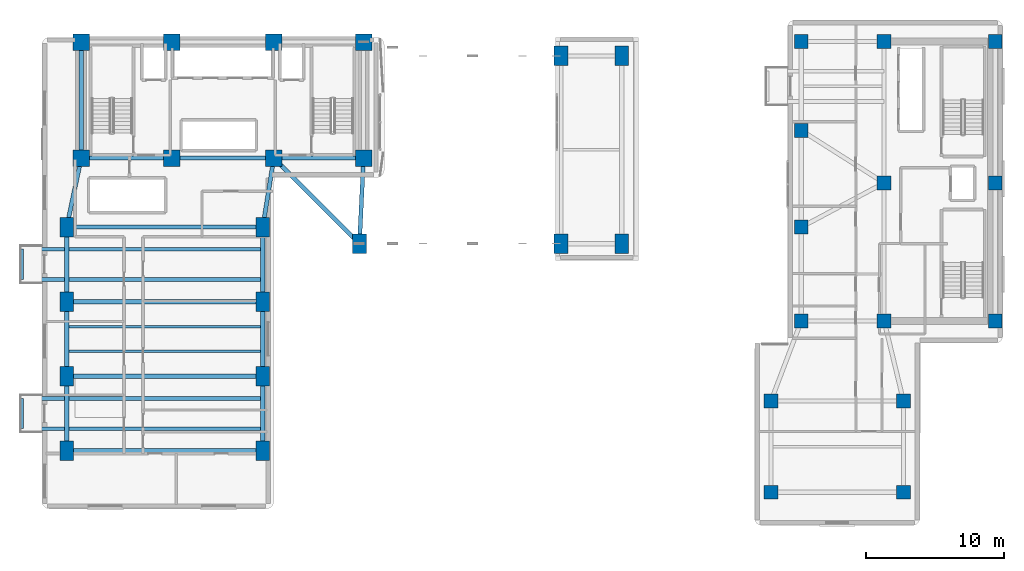
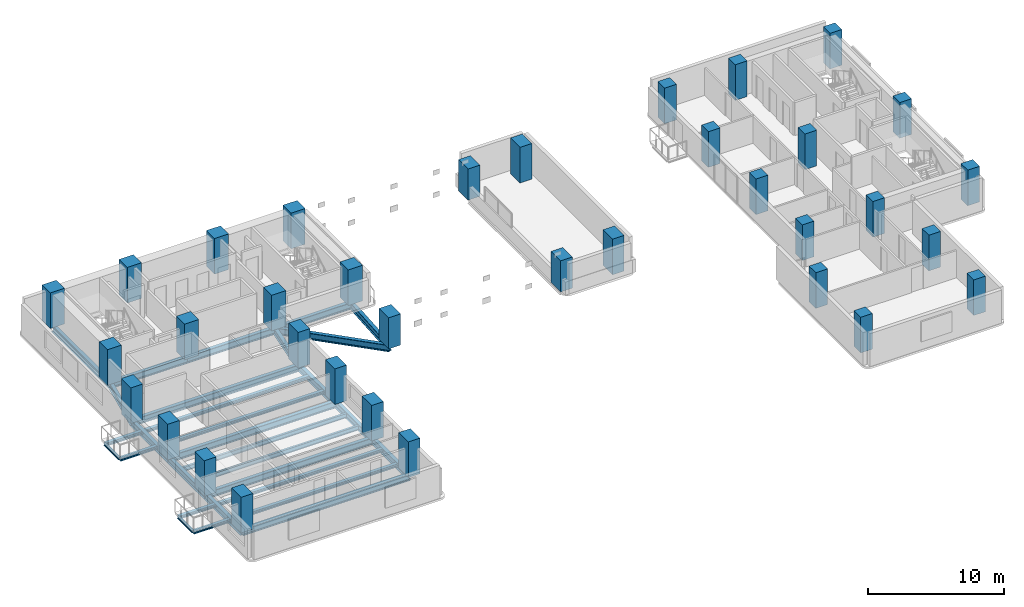
# One storey, part 1 of 14: 35 columns, 26 beams.
"""IFC4 building model written with IfcOpenShell, lengths in metres."""

from ifc_helpers import new_model, si_unit, direction, frame, origin, origin_2d, place, context, subcontext, project, spatial, rectangle, i_section, extrude, material, material_profile, profile_set, type_object, element, save


model = new_model("IFC4")

# Units and contexts
model_context = context("Model", 3, precision=1e-05, world=origin(), true_north=direction((0.0, 1.0)))
body_context = subcontext(model_context, "Body", "Model", "MODEL_VIEW")
ifc_project = project(units=[si_unit("LENGTHUNIT", "METRE"), si_unit("AREAUNIT", "SQUARE_METRE"), si_unit("VOLUMEUNIT", "CUBIC_METRE"), si_unit("PLANEANGLEUNIT", "RADIAN"), si_unit("MASSUNIT", "GRAM", prefix="KILO")], contexts=[model_context])

# Site, building, storey
site_placement = place(None, origin())
site = spatial("IfcSite", under=ifc_project, at=site_placement, CompositionType="ELEMENT")
building_placement = place(site_placement, origin())
building = spatial("IfcBuilding", under=site, at=building_placement, Name="Kuzgunbayir Cultural Tower", CompositionType="ELEMENT")
storey_placement = place(building_placement, frame((0.0, 0.0, 36.60009765625)))
storey = spatial("IfcBuildingStorey", under=building, at=storey_placement, Name="L09", CompositionType="ELEMENT", Elevation=36.60009765625)

# Columns
ifc_material_1 = material(Name="Concrete C60/75", Category="concrete")
ifc_material_profile_1 = material_profile(ifc_material_1, rectangle(XDim=1.199951171875, YDim=1.199951171875, at=origin_2d()), Name="RC 1200x1200")
ifc_profile_set_1 = profile_set([ifc_material_profile_1], Name="Concrete C60/75")
column_type_1 = type_object("IfcColumnType", Name="COL-CORE-1200", PredefinedType="COLUMN", material=ifc_profile_set_1)
for number, where, z_axis, x_axis, name in (
    (1, (6.449951171875, 33.800048828125, 0.0), (0.0, 0.0, 1.0), (1.0, 0.0, 0.0), "L09 T1 Core Boundary Column CC1-1"),
    (2, (13.0, 33.800048828125, 0.0), (0.0, 0.0, 1.0), (1.0, 0.0, 0.0), "L09 T1 Core Boundary Column CC1-2"),
    (3, (20.39990234375, 33.800048828125, 0.0), (0.0, 0.0, 1.0), (1.0, 0.0, 0.0), "L09 T1 Core Boundary Column CC1-3"),
    (4, (26.89990234375, 33.800048828125, 0.0), (0.0, 0.0, 1.0), (1.0, 0.0, 0.0), "L09 T1 Core Boundary Column CC1-4"),
    (5, (6.449951171875, 42.199951171875, 0.0), (0.0, 0.0, 1.0), (1.0, 0.0, 0.0), "L09 T1 Core Boundary Column CC1-5"),
    (6, (13.0, 42.199951171875, 0.0), (0.0, 0.0, 1.0), (1.0, 0.0, 0.0), "L09 T1 Core Boundary Column CC1-6"),
    (7, (20.39990234375, 42.199951171875, 0.0), (0.0, 0.0, 1.0), (1.0, 0.0, 0.0), "L09 T1 Core Boundary Column CC1-7"),
    (8, (26.89990234375, 42.199951171875, 0.0), (0.0, 0.0, 1.0), (1.0, 0.0, 0.0), "L09 T1 Core Boundary Column CC1-8"),
):
    element("IfcColumn", number, at=place(storey_placement, frame(where, z_axis=z_axis, x_axis=x_axis)), inside=storey, type_object=column_type_1, Name=name, PredefinedType="COLUMN", context=body_context, shape_type="SweptSolid", body=[
        extrude(rectangle(XDim=1.199951171875, YDim=1.199951171875, at=origin_2d()), origin(), (0.0, 0.0, 1.0), 3.199951171875),
    ])
ifc_material_profile_2 = material_profile(ifc_material_1, rectangle(XDim=1.0, YDim=1.39990234375, at=origin_2d()), Name="RC 1400x1000")
ifc_profile_set_2 = profile_set([ifc_material_profile_2], Name="Concrete C60/75")
column_type_2 = type_object("IfcColumnType", Name="COL-T1-1400x1000", PredefinedType="COLUMN", material=ifc_profile_set_2)
for number, where, z_axis, x_axis, name in (
    (9, (5.39990234375, 12.60009765625, 0.0), (0.0, 0.0, 1.0), (1.0, 0.0, 0.0), "L09 Tower 1 Wing A Column T1A-W-1"),
    (10, (19.60009765625, 12.60009765625, 0.0), (0.0, 0.0, 1.0), (1.0, 0.0, 0.0), "L09 Tower 1 Wing A Column T1A-E-1"),
    (11, (5.39990234375, 18.0, 0.0), (0.0, 0.0, 1.0), (1.0, 0.0, 0.0), "L09 Tower 1 Wing A Column T1A-W-2"),
    (12, (19.60009765625, 18.0, 0.0), (0.0, 0.0, 1.0), (1.0, 0.0, 0.0), "L09 Tower 1 Wing A Column T1A-E-2"),
    (13, (5.39990234375, 23.39990234375, 0.0), (0.0, 0.0, 1.0), (1.0, 0.0, 0.0), "L09 Tower 1 Wing A Column T1A-W-3"),
    (14, (19.60009765625, 23.39990234375, 0.0), (0.0, 0.0, 1.0), (1.0, 0.0, 0.0), "L09 Tower 1 Wing A Column T1A-E-3"),
    (15, (5.39990234375, 28.800048828125, 0.0), (0.0, 0.0, 1.0), (1.0, 0.0, 0.0), "L09 Tower 1 Wing A Column T1A-W-4"),
    (16, (19.60009765625, 28.800048828125, 0.0), (0.0, 0.0, 1.0), (1.0, 0.0, 0.0), "L09 Tower 1 Wing A Column T1A-E-4"),
):
    element("IfcColumn", number, at=place(storey_placement, frame(where, z_axis=z_axis, x_axis=x_axis)), inside=storey, type_object=column_type_2, Name=name, PredefinedType="COLUMN", context=body_context, shape_type="SweptSolid", body=[
        extrude(rectangle(XDim=1.0, YDim=1.39990234375, at=origin_2d()), origin(), (0.0, 0.0, 1.0), 3.199951171875),
    ])
for number, where, z_axis, x_axis, name in (
    (17, (26.60009765625, 27.60009765625, 0.0), (0.0, 0.0, 1.0), (1.0, 0.0, 0.0), "L09 Tower 1 Wing B Column T1B-1-1"),
    (18, (41.199951171875, 27.60009765625, 0.0), (0.0, 0.0, 1.0), (1.0, 0.0, 0.0), "L09 Tower 1 Wing B Column T1B-4-1"),
    (19, (41.199951171875, 41.199951171875, 0.0), (0.0, 0.0, 1.0), (1.0, 0.0, 0.0), "L09 Tower 1 Wing B Column T1B-4-2"),
):
    element("IfcColumn", number, at=place(storey_placement, frame(where, z_axis=z_axis, x_axis=x_axis)), inside=storey, type_object=column_type_2, Name=name, PredefinedType="COLUMN", context=body_context, shape_type="SweptSolid", body=[
        extrude(rectangle(XDim=1.0, YDim=1.39990234375, at=origin_2d()), origin(), (0.0, 0.0, 1.0), 2.7998046875),
    ])
for number, where, z_axis, x_axis, name in (
    (20, (45.60009765625, 27.60009765625, 0.0), (0.0, 0.0, 1.0), (1.0, 0.0, 0.0), "L09 Tower 1 Wing B Column T1B-5-1"),
    (21, (45.60009765625, 41.199951171875, 0.0), (0.0, 0.0, 1.0), (1.0, 0.0, 0.0), "L09 Tower 1 Wing B Column T1B-5-2"),
):
    element("IfcColumn", number, at=place(storey_placement, frame(where, z_axis=z_axis, x_axis=x_axis)), inside=storey, type_object=column_type_2, Name=name, PredefinedType="COLUMN", context=body_context, shape_type="SweptSolid", body=[
        extrude(rectangle(XDim=1.0, YDim=1.39990234375, at=origin_2d()), origin(), (0.0, 0.0, 1.0), 3.199951171875),
    ])
ifc_material_profile_3 = material_profile(ifc_material_1, rectangle(XDim=1.0, YDim=1.0, at=origin_2d()), Name="RC 1000x1000")
ifc_profile_set_3 = profile_set([ifc_material_profile_3], Name="Concrete C60/75")
column_type_3 = type_object("IfcColumnType", Name="COL-T2-1000", PredefinedType="COLUMN", material=ifc_profile_set_3)
for number, where, z_axis, x_axis, name in (
    (22, (64.60009765625, 22.0, 0.0), (0.0, 0.0, 1.0), (1.0, 0.0, 0.0), "L09 T2 Core Boundary Column CC2-1"),
    (23, (72.64990234375, 22.0, 0.0), (0.0, 0.0, 1.0), (1.0, 0.0, 0.0), "L09 T2 Core Boundary Column CC2-2"),
    (24, (64.60009765625, 32.0, 0.0), (0.0, 0.0, 1.0), (1.0, 0.0, 0.0), "L09 T2 Core Boundary Column CC2-3"),
    (25, (72.64990234375, 32.0, 0.0), (0.0, 0.0, 1.0), (1.0, 0.0, 0.0), "L09 T2 Core Boundary Column CC2-4"),
    (26, (64.60009765625, 42.25, 0.0), (0.0, 0.0, 1.0), (1.0, 0.0, 0.0), "L09 T2 Core Boundary Column CC2-5"),
    (27, (72.64990234375, 42.25, 0.0), (0.0, 0.0, 1.0), (1.0, 0.0, 0.0), "L09 T2 Core Boundary Column CC2-6"),
):
    element("IfcColumn", number, at=place(storey_placement, frame(where, z_axis=z_axis, x_axis=x_axis)), inside=storey, type_object=column_type_3, Name=name, PredefinedType="COLUMN", context=body_context, shape_type="SweptSolid", body=[
        extrude(rectangle(XDim=1.0, YDim=1.0, at=origin_2d()), origin(), (0.0, 0.0, 1.0), 3.199951171875),
    ])
ifc_material_profile_4 = material_profile(ifc_material_1, rectangle(XDim=1.0, YDim=1.0, at=origin_2d()), Name="RC 1000x1000")
ifc_profile_set_4 = profile_set([ifc_material_profile_4], Name="Concrete C60/75")
column_type_4 = type_object("IfcColumnType", Name="COL-T2-1000-EXT", PredefinedType="COLUMN", material=ifc_profile_set_4)
for number, where, z_axis, x_axis, name in (
    (28, (58.60009765625, 22.0, 0.0), (0.0, 0.0, 1.0), (1.0, 0.0, 0.0), "L09 Companion Wing A Column T2A-W-1"),
    (29, (58.60009765625, 28.800048828125, 0.0), (0.0, 0.0, 1.0), (1.0, 0.0, 0.0), "L09 Companion Wing A Column T2A-W-2"),
    (30, (58.60009765625, 35.800048828125, 0.0), (0.0, 0.0, 1.0), (1.0, 0.0, 0.0), "L09 Companion Wing A Column T2A-W-3"),
    (31, (58.60009765625, 42.25, 0.0), (0.0, 0.0, 1.0), (1.0, 0.0, 0.0), "L09 Companion Wing A Column T2A-W-4"),
    (32, (56.39990234375, 9.60009765625, 0.0), (0.0, 0.0, 1.0), (1.0, 0.0, 0.0), "L09 Companion Wing B Column T2B-1-1"),
    (33, (56.39990234375, 16.199951171875, 0.0), (0.0, 0.0, 1.0), (1.0, 0.0, 0.0), "L09 Companion Wing B Column T2B-1-2"),
    (34, (66.0, 9.60009765625, 0.0), (0.0, 0.0, 1.0), (1.0, 0.0, 0.0), "L09 Companion Wing B Column T2B-2-1"),
    (35, (66.0, 16.199951171875, 0.0), (0.0, 0.0, 1.0), (1.0, 0.0, 0.0), "L09 Companion Wing B Column T2B-2-2"),
):
    element("IfcColumn", number, at=place(storey_placement, frame(where, z_axis=z_axis, x_axis=x_axis)), inside=storey, type_object=column_type_4, Name=name, PredefinedType="COLUMN", context=body_context, shape_type="SweptSolid", body=[
        extrude(rectangle(XDim=1.0, YDim=1.0, at=origin_2d()), origin(), (0.0, 0.0, 1.0), 3.199951171875),
    ])

# Beams
ifc_material_2 = material(Name="Steel S355J2", Category="steel")
ifc_material_profile_5 = material_profile(ifc_material_2, i_section(OverallWidth=0.280029296875, OverallDepth=0.280029296875, WebThickness=0.010498046875, FlangeThickness=0.01806640625, FilletRadius=0.02392578125, at=origin_2d()), Name="HEB 280")
ifc_profile_set_5 = profile_set([ifc_material_profile_5], Name="Steel S355J2")
beam_type_1 = type_object("IfcBeamType", Name="BM-BAL-HEB280", PredefinedType="BEAM", material=ifc_profile_set_5)
for number, where, z_axis, x_axis, name in (
    (36, (2.159912109375, 14.199951171875, -0.340087890625), (1.0, 0.0, 0.0), (0.0, 1.0, 0.0), "L09 Balcony Outrigger Beam BAL-L09-WA1.1"),
    (37, (2.159912109375, 16.39990234375, -0.340087890625), (1.0, 0.0, 0.0), (0.0, 1.0, 0.0), "L09 Balcony Outrigger Beam BAL-L09-WA1.2"),
    (38, (2.159912109375, 25.0, -0.340087890625), (1.0, 0.0, 0.0), (0.0, 1.0, 0.0), "L09 Balcony Outrigger Beam BAL-L09-WA3.1"),
    (39, (2.159912109375, 27.199951171875, -0.340087890625), (1.0, 0.0, 0.0), (0.0, 1.0, 0.0), "L09 Balcony Outrigger Beam BAL-L09-WA3.2"),
):
    element("IfcBeam", number, at=place(storey_placement, frame(where, z_axis=z_axis, x_axis=x_axis)), inside=storey, type_object=beam_type_1, Name=name, PredefinedType="BEAM", context=body_context, shape_type="SweptSolid", body=[
        extrude(i_section(OverallWidth=0.280029296875, OverallDepth=0.280029296875, WebThickness=0.010498046875, FlangeThickness=0.01806640625, FilletRadius=0.02392578125, at=origin_2d()), origin(), (0.0, 0.0, 1.0), 17.440185546875),
    ])
ifc_material_profile_6 = material_profile(ifc_material_2, i_section(OverallWidth=0.199951171875, OverallDepth=0.199951171875, WebThickness=0.009033203125, FlangeThickness=0.014892578125, FilletRadius=0.01806640625, at=origin_2d()), Name="HEB 200")
ifc_profile_set_6 = profile_set([ifc_material_profile_6], Name="Steel S355J2")
beam_type_2 = type_object("IfcBeamType", Name="BM-CAN-HEB200", PredefinedType="BEAM", material=ifc_profile_set_6)
for number, where, z_axis, x_axis, name in (
    (40, (2.159912109375, 14.199951171875, -0.300048828125), (0.0, 1.0, 0.0), (-1.0, 0.0, 0.0), "L09 Balcony Edge Header BAL-L09-WA1"),
    (41, (2.159912109375, 25.0, -0.300048828125), (0.0, 1.0, 0.0), (-1.0, 0.0, 0.0), "L09 Balcony Edge Header BAL-L09-WA3"),
):
    element("IfcBeam", number, at=place(storey_placement, frame(where, z_axis=z_axis, x_axis=x_axis)), inside=storey, type_object=beam_type_2, Name=name, PredefinedType="BEAM", context=body_context, shape_type="SweptSolid", body=[
        extrude(i_section(OverallWidth=0.199951171875, OverallDepth=0.199951171875, WebThickness=0.009033203125, FlangeThickness=0.014892578125, FilletRadius=0.01806640625, at=origin_2d()), origin(), (0.0, 0.0, 1.0), 2.199951171875),
    ])
ifc_material_profile_7 = material_profile(ifc_material_2, i_section(OverallWidth=0.300048828125, OverallDepth=0.60009765625, WebThickness=0.015380859375, FlangeThickness=0.030029296875, FilletRadius=0.027099609375, at=origin_2d()), Name="HEB 600")
ifc_profile_set_7 = profile_set([ifc_material_profile_7], Name="Steel S355J2")
beam_type_3 = type_object("IfcBeamType", Name="BM-EXT-HEB600", PredefinedType="BEAM", material=ifc_profile_set_7)
for number, where, z_axis, x_axis, name in (
    (42, (5.39990234375, 12.60009765625, -0.47998046875), (0.0, 1.0, 0.0), (-1.0, 0.0, 0.0), "L09 Wing A West Girder 1"),
    (43, (19.60009765625, 12.60009765625, -0.47998046875), (0.0, 1.0, 0.0), (-1.0, 0.0, 0.0), "L09 Wing A East Girder 1"),
    (44, (5.39990234375, 18.0, -0.47998046875), (0.0, 1.0, 0.0), (-1.0, 0.0, 0.0), "L09 Wing A West Girder 2"),
    (45, (19.60009765625, 18.0, -0.47998046875), (0.0, 1.0, 0.0), (-1.0, 0.0, 0.0), "L09 Wing A East Girder 2"),
):
    element("IfcBeam", number, at=place(storey_placement, frame(where, z_axis=z_axis, x_axis=x_axis)), inside=storey, type_object=beam_type_3, Name=name, PredefinedType="BEAM", context=body_context, shape_type="SweptSolid", body=[
        extrude(i_section(OverallWidth=0.300048828125, OverallDepth=0.60009765625, WebThickness=0.015380859375, FlangeThickness=0.030029296875, FilletRadius=0.027099609375, at=origin_2d()), origin(), (0.0, 0.0, 1.0), 5.39990234375),
    ])
for number, where, z_axis, x_axis, name in (
    (46, (5.39990234375, 23.39990234375, -0.47998046875), (0.0, 1.0, 0.0), (-1.0, 0.0, 0.0), "L09 Wing A West Girder 3"),
    (47, (19.60009765625, 23.39990234375, -0.47998046875), (0.0, 1.0, 0.0), (-1.0, 0.0, 0.0), "L09 Wing A East Girder 3"),
):
    element("IfcBeam", number, at=place(storey_placement, frame(where, z_axis=z_axis, x_axis=x_axis)), inside=storey, type_object=beam_type_3, Name=name, PredefinedType="BEAM", context=body_context, shape_type="SweptSolid", body=[
        extrude(i_section(OverallWidth=0.300048828125, OverallDepth=0.60009765625, WebThickness=0.015380859375, FlangeThickness=0.030029296875, FilletRadius=0.027099609375, at=origin_2d()), origin(), (0.0, 0.0, 1.0), 5.400146484375),
    ])
ifc_material_profile_8 = material_profile(ifc_material_2, i_section(OverallWidth=0.300048828125, OverallDepth=0.60009765625, WebThickness=0.015380859375, FlangeThickness=0.030029296875, FilletRadius=0.027099609375, at=origin_2d()), Name="HEB 600")
ifc_profile_set_8 = profile_set([ifc_material_profile_8], Name="Steel S355J2")
beam_type_4 = type_object("IfcBeamType", Name="BM-GIR-HEB600", PredefinedType="BEAM", material=ifc_profile_set_8)
beam_1_placement = place(storey_placement, frame((6.449951171875, 33.800048828125, -0.47998046875), z_axis=(1.0, 0.0, 0.0), x_axis=(0.0, 1.0, 0.0)))
element("IfcBeam", 48, at=beam_1_placement, inside=storey, type_object=beam_type_4, Name="L09 Core South Girder 1", PredefinedType="BEAM", context=body_context, shape_type="SweptSolid", body=[
    extrude(i_section(OverallWidth=0.300048828125, OverallDepth=0.60009765625, WebThickness=0.015380859375, FlangeThickness=0.030029296875, FilletRadius=0.027099609375, at=origin_2d()), origin(), (0.0, 0.0, 1.0), 6.550048828125),
])
beam_2_placement = place(storey_placement, frame((13.0, 33.800048828125, -0.47998046875), z_axis=(1.0, 0.0, 0.0), x_axis=(0.0, 1.0, 0.0)))
element("IfcBeam", 49, at=beam_2_placement, inside=storey, type_object=beam_type_4, Name="L09 Core South Girder 2", PredefinedType="BEAM", context=body_context, shape_type="SweptSolid", body=[
    extrude(i_section(OverallWidth=0.300048828125, OverallDepth=0.60009765625, WebThickness=0.015380859375, FlangeThickness=0.030029296875, FilletRadius=0.027099609375, at=origin_2d()), origin(), (0.0, 0.0, 1.0), 7.39990234375),
])
beam_3_placement = place(storey_placement, frame((20.39990234375, 33.800048828125, -0.47998046875), z_axis=(1.0, 0.0, 0.0), x_axis=(0.0, 1.0, 0.0)))
element("IfcBeam", 50, at=beam_3_placement, inside=storey, type_object=beam_type_4, Name="L09 Core South Girder 3", PredefinedType="BEAM", context=body_context, shape_type="SweptSolid", body=[
    extrude(i_section(OverallWidth=0.300048828125, OverallDepth=0.60009765625, WebThickness=0.015380859375, FlangeThickness=0.030029296875, FilletRadius=0.027099609375, at=origin_2d()), origin(), (0.0, 0.0, 1.0), 6.5),
])
beam_4_placement = place(storey_placement, frame((6.449951171875, 33.800048828125, -0.47998046875), z_axis=(0.0, 1.0, 0.0), x_axis=(-1.0, 0.0, 0.0)))
element("IfcBeam", 51, at=beam_4_placement, inside=storey, type_object=beam_type_4, Name="L09 Core West Edge Girder", PredefinedType="BEAM", context=body_context, shape_type="SweptSolid", body=[
    extrude(i_section(OverallWidth=0.300048828125, OverallDepth=0.60009765625, WebThickness=0.015380859375, FlangeThickness=0.030029296875, FilletRadius=0.027099609375, at=origin_2d()), origin(), (0.0, 0.0, 1.0), 8.39990234375),
])
for number, where, z_axis, x_axis, name in (
    (52, (5.39990234375, 12.60009765625, -0.47998046875), (1.0, 0.0, 0.0), (0.0, 1.0, 0.0), "L09 Wing A Transverse Girder 1"),
    (53, (5.39990234375, 18.0, -0.47998046875), (1.0, 0.0, 0.0), (0.0, 1.0, 0.0), "L09 Wing A Transverse Girder 2"),
    (54, (5.39990234375, 23.39990234375, -0.47998046875), (1.0, 0.0, 0.0), (0.0, 1.0, 0.0), "L09 Wing A Transverse Girder 3"),
    (55, (5.39990234375, 28.800048828125, -0.47998046875), (1.0, 0.0, 0.0), (0.0, 1.0, 0.0), "L09 Wing A Transverse Girder 4"),
):
    element("IfcBeam", number, at=place(storey_placement, frame(where, z_axis=z_axis, x_axis=x_axis)), inside=storey, type_object=beam_type_4, Name=name, PredefinedType="BEAM", context=body_context, shape_type="SweptSolid", body=[
        extrude(i_section(OverallWidth=0.300048828125, OverallDepth=0.60009765625, WebThickness=0.015380859375, FlangeThickness=0.030029296875, FilletRadius=0.027099609375, at=origin_2d()), origin(), (0.0, 0.0, 1.0), 14.2001953125),
    ])
beam_5_placement = place(storey_placement, frame((5.39990234375, 28.800048828125, -0.47998046875), z_axis=(0.205526387753, 0.978651574329, 0.0), x_axis=(-0.978651574329, 0.205526387753, 0.0)))
element("IfcBeam", 56, at=beam_5_placement, inside=storey, type_object=beam_type_4, Name="L09 Wing A West Core Floor Girder", PredefinedType="BEAM", context=body_context, shape_type="SweptSolid", body=[
    extrude(i_section(OverallWidth=0.300048828125, OverallDepth=0.60009765625, WebThickness=0.015380859375, FlangeThickness=0.030029296875, FilletRadius=0.027099609375, at=origin_2d()), origin(), (0.0, 0.0, 1.0), 5.109130859375),
])
beam_6_placement = place(storey_placement, frame((19.60009765625, 28.800048828125, -0.47998046875), z_axis=(0.157952891656, 0.987446648694, 0.0), x_axis=(-0.987446648694, 0.157952891656, 0.0)))
element("IfcBeam", 57, at=beam_6_placement, inside=storey, type_object=beam_type_4, Name="L09 Wing A East Core Floor Girder", PredefinedType="BEAM", context=body_context, shape_type="SweptSolid", body=[
    extrude(i_section(OverallWidth=0.300048828125, OverallDepth=0.60009765625, WebThickness=0.015380859375, FlangeThickness=0.030029296875, FilletRadius=0.027099609375, at=origin_2d()), origin(), (0.0, 0.0, 1.0), 5.0634765625),
])
beam_7_placement = place(storey_placement, frame((20.39990234375, 33.800048828125, -0.47998046875), z_axis=(0.707120702941, -0.707092859158, 0.0), x_axis=(0.707092859158, 0.707120702941, 0.0)))
element("IfcBeam", 58, at=beam_7_placement, inside=storey, type_object=beam_type_4, Name="L09 Portal West Tie", PredefinedType="BEAM", context=body_context, shape_type="SweptSolid", body=[
    extrude(i_section(OverallWidth=0.300048828125, OverallDepth=0.60009765625, WebThickness=0.015380859375, FlangeThickness=0.030029296875, FilletRadius=0.027099609375, at=origin_2d()), origin(), (0.0, 0.0, 1.0), 8.768310546875),
])
beam_8_placement = place(storey_placement, frame((26.60009765625, 27.60009765625, -0.47998046875), z_axis=(0.048299539143, 0.998832896194, 0.0), x_axis=(-0.998832896194, 0.048299539143, 0.0)))
element("IfcBeam", 59, at=beam_8_placement, inside=storey, type_object=beam_type_4, Name="L09 Portal West Jamb Girder", PredefinedType="BEAM", context=body_context, shape_type="SweptSolid", body=[
    extrude(i_section(OverallWidth=0.300048828125, OverallDepth=0.60009765625, WebThickness=0.015380859375, FlangeThickness=0.030029296875, FilletRadius=0.027099609375, at=origin_2d()), origin(), (0.0, 0.0, 1.0), 6.207275390625),
])
ifc_material_profile_9 = material_profile(ifc_material_2, i_section(OverallWidth=0.179931640625, OverallDepth=0.39990234375, WebThickness=0.008544921875, FlangeThickness=0.013427734375, FilletRadius=0.02099609375, at=origin_2d()), Name="IPE 400")
ifc_profile_set_9 = profile_set([ifc_material_profile_9], Name="Steel S355J2")
beam_type_5 = type_object("IfcBeamType", Name="BM-JST-IPE400", PredefinedType="JOIST", material=ifc_profile_set_9)
for number, where, z_axis, x_axis, name in (
    (60, (5.550048828125, 19.800048828125, -0.380126953125), (1.0, 0.0, 0.0), (0.0, 1.0, 0.0), "L09 Wing A Secondary Joist 3"),
    (61, (5.550048828125, 21.60009765625, -0.380126953125), (1.0, 0.0, 0.0), (0.0, 1.0, 0.0), "L09 Wing A Secondary Joist 4"),
):
    element("IfcBeam", number, at=place(storey_placement, frame(where, z_axis=z_axis, x_axis=x_axis)), inside=storey, type_object=beam_type_5, Name=name, PredefinedType="JOIST", context=body_context, shape_type="SweptSolid", body=[
        extrude(i_section(OverallWidth=0.179931640625, OverallDepth=0.39990234375, WebThickness=0.008544921875, FlangeThickness=0.013427734375, FilletRadius=0.02099609375, at=origin_2d()), origin(), (0.0, 0.0, 1.0), 13.89990234375),
    ])

save(model, "model.ifc")
